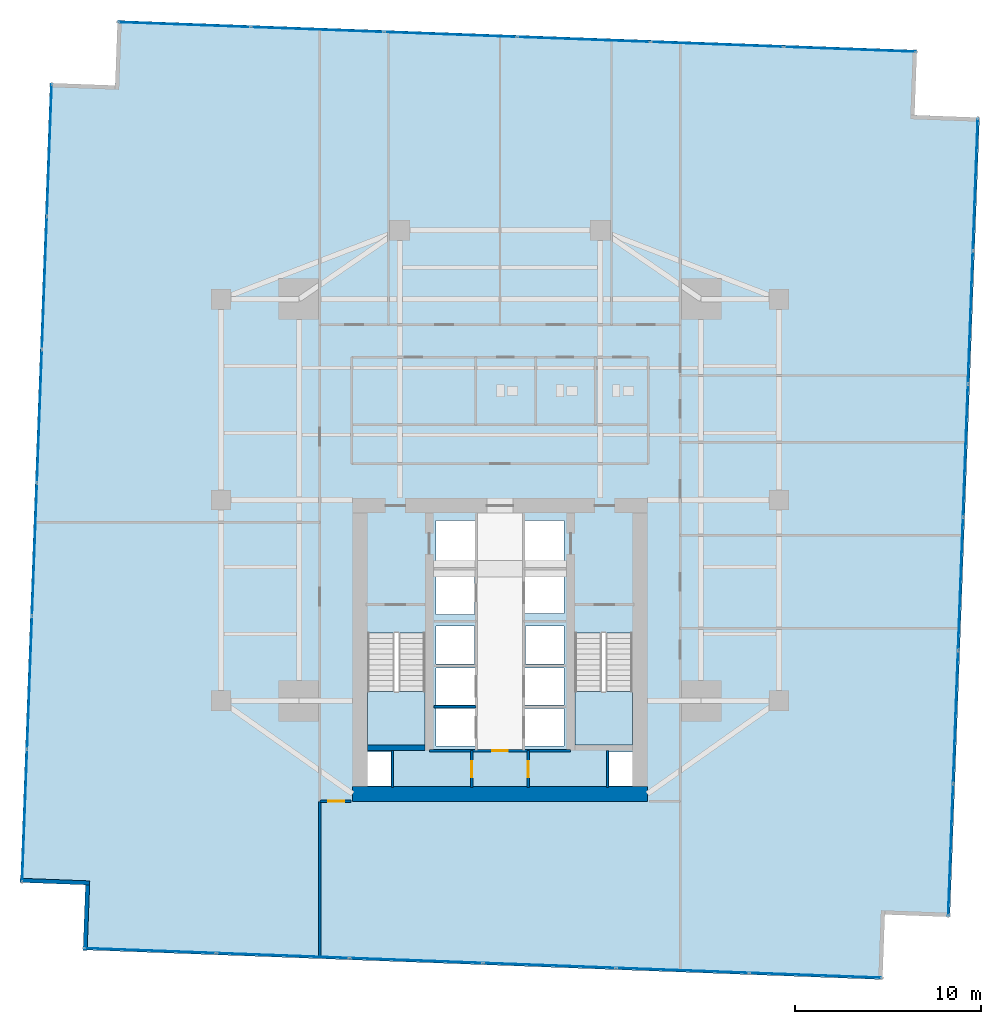
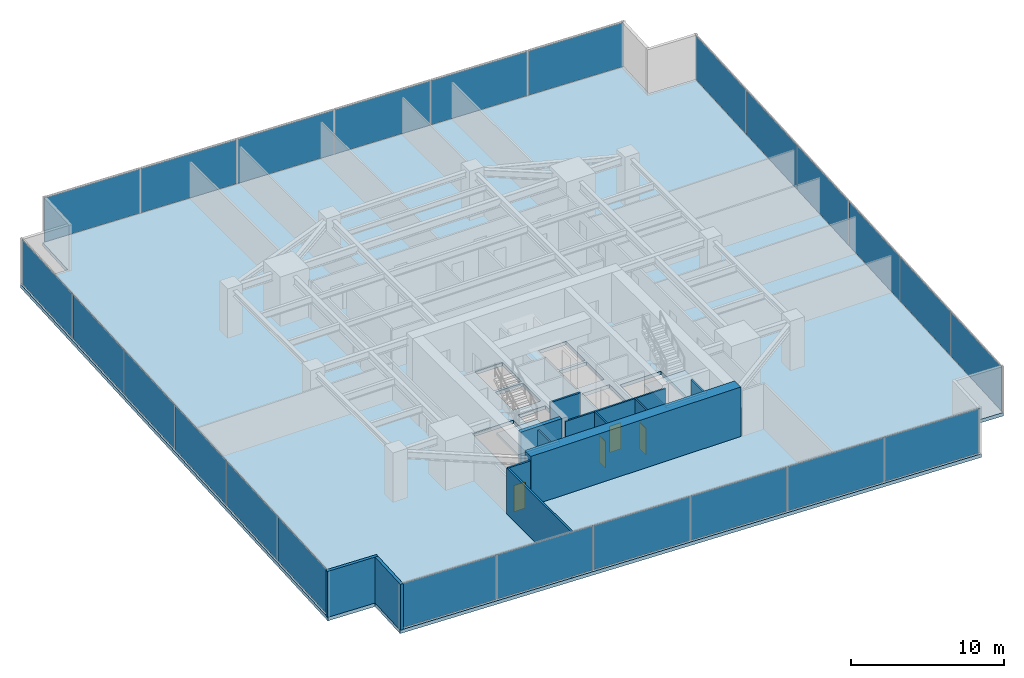
# One storey, part 26 of 30: 24 plates, 12 walls, 4 doors, 3 slabs, 4 openings, 6 elements without a shape of their own.
"""IFC4 building model written with IfcOpenShell, lengths in metres."""

from ifc_helpers import new_model, si_unit, direction, frame, frame_2d, origin, origin_2d, place, context, subcontext, project, spatial, polyline, rectangle, outline, extrude, source, transform, mapped, material, layer, layer_set, type_object, type_shapes, element, fill, aggregate, save


model = new_model("IFC4")

# Units and contexts
model_context = context("Model", 3, precision=1e-05, world=origin(), true_north=direction((0.0, 1.0)))
body_context = subcontext(model_context, "Body", "Model", "MODEL_VIEW")
ifc_project = project(units=[si_unit("LENGTHUNIT", "METRE"), si_unit("AREAUNIT", "SQUARE_METRE"), si_unit("VOLUMEUNIT", "CUBIC_METRE"), si_unit("PLANEANGLEUNIT", "RADIAN"), si_unit("MASSUNIT", "GRAM", prefix="KILO")], contexts=[model_context])

# Site, building, storey
site_placement = place(None, origin())
site = spatial("IfcSite", under=ifc_project, at=site_placement, CompositionType="ELEMENT")
building_placement = place(site_placement, origin())
building = spatial("IfcBuilding", under=site, at=building_placement, Name="Krantzveldt Concourse Tower", CompositionType="ELEMENT")
storey_placement = place(building_placement, frame((0.0, 0.0, 44.75)))
storey = spatial("IfcBuildingStorey", under=building, at=storey_placement, Name="L10", CompositionType="ELEMENT", Elevation=44.75)

# Stair, slab
ifc_material_1 = material(Name="Precast concrete C40/50", Category="concrete")
stair_type = type_object("IfcStairType", Name="STR-CORE-DOGLEG", PredefinedType="HALF_TURN_STAIR", material=ifc_material_1)
stair_1_placement = place(storey_placement, origin())
stair_1 = element("IfcStair", 1, at=stair_1_placement, inside=storey, type_object=stair_type, Name="L10 Protected Escape Stair ST-1", PredefinedType="HALF_TURN_STAIR")
ifc_layer_1 = layer(ifc_material_1, 0.199951171875, Name="Precast concrete C40/50", Category="concrete")
ifc_layer_set_1 = layer_set([ifc_layer_1], Name="Precast concrete C40/50 (SL-LANDING-200)")
slab_type_1 = type_object("IfcSlabType", Name="SL-LANDING-200", PredefinedType="LANDING", material=ifc_layer_set_1)
slab_1_placement = place(storey_placement, frame((0.0, 0.0, 1.77490234375)))
slab_1 = element("IfcSlab", 2, at=slab_1_placement, type_object=slab_type_1, Name="ST-1 landing 1", PredefinedType="LANDING", context=body_context, shape_type="SweptSolid", body=[
    extrude(outline(polyline([(28.8798828125, 16.4150390625), (28.8798828125, 13.52001953125), (31.97998046875, 13.52001953125), (31.97998046875, 16.4150390625), (28.8798828125, 16.4150390625)])), origin(), (0.0, 0.0, 1.0), 0.2001953125),
])
aggregate(stair_1, [slab_1])

stair_2_placement = place(storey_placement, origin())
stair_2 = element("IfcStair", 3, at=stair_2_placement, inside=storey, type_object=stair_type, Name="L10 Protected Escape Stair ST-2", PredefinedType="HALF_TURN_STAIR")
slab_2_placement = place(storey_placement, frame((0.0, 0.0, 1.77490234375)))
slab_2 = element("IfcSlab", 4, at=slab_2_placement, type_object=slab_type_1, Name="ST-2 landing 1", PredefinedType="LANDING", context=body_context, shape_type="SweptSolid", body=[
    extrude(outline(polyline([(40.02001953125, 16.4150390625), (40.02001953125, 13.52001953125), (43.1201171875, 13.52001953125), (43.1201171875, 16.4150390625), (40.02001953125, 16.4150390625)])), origin(), (0.0, 0.0, 1.0), 0.2001953125),
])
aggregate(stair_2, [slab_2])

# Slab
ifc_material_2 = material(Name="Concrete C40/50", Category="concrete")
ifc_layer_2 = layer(ifc_material_2, 0.280029296875, Name="Concrete C40/50", Category="concrete")
ifc_layer_set_2 = layer_set([ifc_layer_2], Name="Concrete C40/50 (SL-SL-TWR280)")
slab_type_2 = type_object("IfcSlabType", Name="SL-SL-TWR280", PredefinedType="FLOOR", material=ifc_layer_set_2)
slab_3_placement = place(storey_placement, frame((0.0, 0.0, -0.280029296875)))
element("IfcSlab", 5, at=slab_3_placement, inside=storey, type_object=slab_type_2, Name="SL-L10-MAIN", PredefinedType="FLOOR", context=body_context, shape_type="SweptSolid", body=[
    extrude(outline(polyline([(15.31201171875, 48.982421875), (11.814453125, 49.1123046875), (10.219970703125, 6.141845703125), (13.717529296875, 6.011962890625), (13.587890625, 2.514404296875), (56.55810546875, 0.919921875), (56.68798828125, 4.41748046875), (60.185546875, 4.287841796875), (61.780029296875, 47.25830078125), (58.282470703125, 47.387939453125), (58.412109375, 50.885498046875), (15.44189453125, 52.47998046875), (15.31201171875, 48.982421875)]), holes=[polyline([(28.8798828125, 19.547607421875), (28.8798828125, 13.52001953125), (31.97998046875, 13.52001953125), (31.97998046875, 19.547607421875), (28.8798828125, 19.547607421875)]), polyline([(40.02001953125, 19.547607421875), (40.02001953125, 13.52001953125), (43.1201171875, 13.52001953125), (43.1201171875, 19.547607421875), (40.02001953125, 19.547607421875)]), polyline([(32.550048828125, 23.10009765625), (34.64990234375, 23.10009765625), (34.64990234375, 25.60009765625), (32.550048828125, 25.60009765625), (32.550048828125, 23.10009765625)]), polyline([(37.35009765625, 23.10009765625), (39.449951171875, 23.10009765625), (39.449951171875, 25.60009765625), (37.35009765625, 25.60009765625), (37.35009765625, 23.10009765625)]), polyline([(37.35009765625, 20.60009765625), (39.449951171875, 20.60009765625), (39.449951171875, 22.89990234375), (37.35009765625, 22.89990234375), (37.35009765625, 20.60009765625)]), polyline([(32.550048828125, 13.47998046875), (34.64990234375, 13.47998046875), (34.64990234375, 15.47998046875), (32.550048828125, 15.47998046875), (32.550048828125, 13.47998046875)]), polyline([(32.550048828125, 15.679931640625), (34.64990234375, 15.679931640625), (34.64990234375, 17.679931640625), (32.550048828125, 17.679931640625), (32.550048828125, 15.679931640625)]), polyline([(37.35009765625, 13.47998046875), (39.449951171875, 13.47998046875), (39.449951171875, 15.47998046875), (37.35009765625, 15.47998046875), (37.35009765625, 13.47998046875)]), polyline([(37.35009765625, 15.679931640625), (39.449951171875, 15.679931640625), (39.449951171875, 17.679931640625), (37.35009765625, 17.679931640625), (37.35009765625, 15.679931640625)]), polyline([(32.550048828125, 20.550048828125), (34.6201171875, 20.550048828125), (34.6201171875, 22.89990234375), (32.550048828125, 22.89990234375), (32.550048828125, 20.550048828125)]), polyline([(32.550048828125, 17.8798828125), (34.6201171875, 17.8798828125), (34.6201171875, 19.919921875), (32.550048828125, 19.919921875), (32.550048828125, 17.8798828125)]), polyline([(37.3798828125, 17.8798828125), (39.449951171875, 17.8798828125), (39.449951171875, 19.919921875), (37.3798828125, 19.919921875), (37.3798828125, 17.8798828125)]), polyline([(28.8798828125, 11.320068359375), (30.139892578125, 11.320068359375), (30.139892578125, 13.159912109375), (28.8798828125, 13.159912109375), (28.8798828125, 11.320068359375)]), polyline([(41.860107421875, 11.320068359375), (43.1201171875, 11.320068359375), (43.1201171875, 13.159912109375), (41.860107421875, 13.159912109375), (41.860107421875, 11.320068359375)])]), origin(), (0.0, 0.0, 1.0), 0.280029296875),
])

# Curtain wall, plates
ifc_material_3 = material(Name="Anodised aluminium 6063-T6", Category="aluminium")
curtain_wall_type = type_object("IfcCurtainWallType", Name="CW2", PredefinedType="USERDEFINED", material=ifc_material_3)
curtain_wall_1_placement = place(storey_placement, origin())
curtain_wall_1 = element("IfcCurtainWall", 6, at=curtain_wall_1_placement, inside=storey, type_object=curtain_wall_type, Name="CW-L10-F01", ObjectType="UNITISED CURTAIN WALL", PredefinedType="USERDEFINED")
ifc_material_4 = material(Name="Bronze-tinted laminated low-E IGU glass", Category="glass")
ifc_layer_3 = layer(ifc_material_4, 0.031982421875, Name="Bronze-tinted laminated low-E IGU glass", Category="glass")
ifc_layer_set_3 = layer_set([ifc_layer_3], Name="Bronze-tinted laminated low-E IGU glass (CW-GLZ-32)")
plate_type = type_object("IfcPlateType", Name="CW-GLZ-32", PredefinedType="CURTAIN_PANEL", material=ifc_layer_set_3)
shared_shape_1 = source(origin(), body_context, "Body", "SweptSolid", [
    extrude(rectangle(XDim=7.061767578125, YDim=0.031982421875, at=origin_2d()), origin(), (0.0, 0.0, 1.0), 3.530029296875),
])
plate_1_placement = place(storey_placement, frame((11.770751953125, 45.510498046875, 0.06982421875), z_axis=(0.0, 0.0, 1.0), x_axis=(-0.037079766834, -0.999312308986, 0.0)))
plate_1 = element("IfcPlate", 7, at=plate_1_placement, type_object=plate_type, Name="CW-Z12 panel 1.1", PredefinedType="CURTAIN_PANEL", context=body_context, shape_type="MappedRepresentation", body=[
    mapped(shared_shape_1, transform((0.0, 0.0, 0.0), x_axis=(1.0, 0.0, 0.0), y_axis=(0.0, 1.0, 0.0), z_axis=(0.0, 0.0, 1.0), scale=1.0)),
])
plate_2_placement = place(storey_placement, frame((10.443359375, 9.73681640625, 0.06982421875), z_axis=(0.0, 0.0, 1.0), x_axis=(-0.037079766834, -0.999312308986, 0.0)))
plate_2 = element("IfcPlate", 8, at=plate_2_placement, type_object=plate_type, Name="CW-Z12 panel 6.1", PredefinedType="CURTAIN_PANEL", context=body_context, shape_type="MappedRepresentation", body=[
    mapped(shared_shape_1, transform((0.0, 0.0, 0.0), x_axis=(1.0, 0.0, 0.0), y_axis=(0.0, 1.0, 0.0), z_axis=(0.0, 0.0, 1.0), scale=1.0)),
])

curtain_wall_2_placement = place(storey_placement, origin())
curtain_wall_2 = element("IfcCurtainWall", 9, at=curtain_wall_2_placement, inside=storey, type_object=curtain_wall_type, Name="CW-L10-F04", ObjectType="UNITISED CURTAIN WALL", PredefinedType="USERDEFINED")
plate_3_placement = place(storey_placement, frame((17.189453125, 2.470947265625, 0.06982421875), z_axis=(0.0, 0.0, 1.0), x_axis=(0.999312308986, -0.037079766834, 0.0)))
plate_3 = element("IfcPlate", 10, at=plate_3_placement, type_object=plate_type, Name="CW-Z12 panel 1.1", PredefinedType="CURTAIN_PANEL", context=body_context, shape_type="MappedRepresentation", body=[
    mapped(shared_shape_1, transform((0.0, 0.0, 0.0), x_axis=(1.0, 0.0, 0.0), y_axis=(0.0, 1.0, 0.0), z_axis=(0.0, 0.0, 1.0), scale=1.0)),
])
plate_4_placement = place(storey_placement, frame((52.963134765625, 1.1435546875, 0.06982421875), z_axis=(0.0, 0.0, 1.0), x_axis=(0.999312308986, -0.037079766834, 0.0)))
plate_4 = element("IfcPlate", 11, at=plate_4_placement, type_object=plate_type, Name="CW-Z12 panel 6.1", PredefinedType="CURTAIN_PANEL", context=body_context, shape_type="MappedRepresentation", body=[
    mapped(shared_shape_1, transform((0.0, 0.0, 0.0), x_axis=(1.0, 0.0, 0.0), y_axis=(0.0, 1.0, 0.0), z_axis=(0.0, 0.0, 1.0), scale=1.0)),
])

curtain_wall_3_placement = place(storey_placement, origin())
curtain_wall_3 = element("IfcCurtainWall", 12, at=curtain_wall_3_placement, inside=storey, type_object=curtain_wall_type, Name="CW-L10-F07", ObjectType="UNITISED CURTAIN WALL", PredefinedType="USERDEFINED")
plate_5_placement = place(storey_placement, frame((60.229248046875, 7.889404296875, 0.06982421875), z_axis=(0.0, 0.0, 1.0), x_axis=(0.037079766834, 0.999312308986, 0.0)))
plate_5 = element("IfcPlate", 13, at=plate_5_placement, type_object=plate_type, Name="CW-Z12 panel 1.1", PredefinedType="CURTAIN_PANEL", context=body_context, shape_type="MappedRepresentation", body=[
    mapped(shared_shape_1, transform((0.0, 0.0, 0.0), x_axis=(1.0, 0.0, 0.0), y_axis=(0.0, 1.0, 0.0), z_axis=(0.0, 0.0, 1.0), scale=1.0)),
])
plate_6_placement = place(storey_placement, frame((61.556640625, 43.6630859375, 0.06982421875), z_axis=(0.0, 0.0, 1.0), x_axis=(0.037079766834, 0.999312308986, 0.0)))
plate_6 = element("IfcPlate", 14, at=plate_6_placement, type_object=plate_type, Name="CW-Z12 panel 6.1", PredefinedType="CURTAIN_PANEL", context=body_context, shape_type="MappedRepresentation", body=[
    mapped(shared_shape_1, transform((0.0, 0.0, 0.0), x_axis=(1.0, 0.0, 0.0), y_axis=(0.0, 1.0, 0.0), z_axis=(0.0, 0.0, 1.0), scale=1.0)),
])

curtain_wall_4_placement = place(storey_placement, origin())
curtain_wall_4 = element("IfcCurtainWall", 15, at=curtain_wall_4_placement, inside=storey, type_object=curtain_wall_type, Name="CW-L10-F10", ObjectType="UNITISED CURTAIN WALL", PredefinedType="USERDEFINED")
plate_7_placement = place(storey_placement, frame((54.810546875, 50.92919921875, 0.06982421875), z_axis=(0.0, 0.0, 1.0), x_axis=(-0.999312308986, 0.037079766834, 0.0)))
plate_7 = element("IfcPlate", 16, at=plate_7_placement, type_object=plate_type, Name="CW-Z12 panel 1.1", PredefinedType="CURTAIN_PANEL", context=body_context, shape_type="MappedRepresentation", body=[
    mapped(shared_shape_1, transform((0.0, 0.0, 0.0), x_axis=(1.0, 0.0, 0.0), y_axis=(0.0, 1.0, 0.0), z_axis=(0.0, 0.0, 1.0), scale=1.0)),
])
plate_8_placement = place(storey_placement, frame((19.036865234375, 52.256591796875, 0.06982421875), z_axis=(0.0, 0.0, 1.0), x_axis=(-0.999312308986, 0.037079766834, 0.0)))
plate_8 = element("IfcPlate", 17, at=plate_8_placement, type_object=plate_type, Name="CW-Z12 panel 6.1", PredefinedType="CURTAIN_PANEL", context=body_context, shape_type="MappedRepresentation", body=[
    mapped(shared_shape_1, transform((0.0, 0.0, 0.0), x_axis=(1.0, 0.0, 0.0), y_axis=(0.0, 1.0, 0.0), z_axis=(0.0, 0.0, 1.0), scale=1.0)),
])

# Plate
shared_shape_2 = source(origin(), body_context, "Body", "SweptSolid", [
    extrude(rectangle(XDim=7.0966796875, YDim=0.031982421875, at=origin_2d()), origin(), (0.0, 0.0, 1.0), 3.530029296875),
])
type_shapes(plate_type, [shared_shape_1, shared_shape_2])
plate_9_placement = place(storey_placement, frame((11.505859375, 38.3662109375, 0.06982421875), z_axis=(0.0, 0.0, 1.0), x_axis=(-0.037079766834, -0.999312308986, 0.0)))
plate_9 = element("IfcPlate", 18, at=plate_9_placement, type_object=plate_type, Name="CW-Z12 panel 2.1", PredefinedType="CURTAIN_PANEL", context=body_context, shape_type="MappedRepresentation", body=[
    mapped(shared_shape_2, transform((0.0, 0.0, 0.0), x_axis=(1.0, 0.0, 0.0), y_axis=(0.0, 1.0, 0.0), z_axis=(0.0, 0.0, 1.0), scale=1.0)),
])

plate_10_placement = place(storey_placement, frame((11.239990234375, 31.20458984375, 0.06982421875), z_axis=(0.0, 0.0, 1.0), x_axis=(-0.037079766834, -0.999312308986, 0.0)))
plate_10 = element("IfcPlate", 19, at=plate_10_placement, type_object=plate_type, Name="CW-Z12 panel 3.1", PredefinedType="CURTAIN_PANEL", context=body_context, shape_type="MappedRepresentation", body=[
    mapped(shared_shape_2, transform((0.0, 0.0, 0.0), x_axis=(1.0, 0.0, 0.0), y_axis=(0.0, 1.0, 0.0), z_axis=(0.0, 0.0, 1.0), scale=1.0)),
])

plate_11_placement = place(storey_placement, frame((10.974365234375, 24.042724609375, 0.06982421875), z_axis=(0.0, 0.0, 1.0), x_axis=(-0.037079766834, -0.999312308986, 0.0)))
plate_11 = element("IfcPlate", 20, at=plate_11_placement, type_object=plate_type, Name="CW-Z12 panel 4.1", PredefinedType="CURTAIN_PANEL", context=body_context, shape_type="MappedRepresentation", body=[
    mapped(shared_shape_2, transform((0.0, 0.0, 0.0), x_axis=(1.0, 0.0, 0.0), y_axis=(0.0, 1.0, 0.0), z_axis=(0.0, 0.0, 1.0), scale=1.0)),
])

plate_12_placement = place(storey_placement, frame((10.70849609375, 16.881103515625, 0.06982421875), z_axis=(0.0, 0.0, 1.0), x_axis=(-0.037079766834, -0.999312308986, 0.0)))
plate_12 = element("IfcPlate", 21, at=plate_12_placement, type_object=plate_type, Name="CW-Z12 panel 5.1", PredefinedType="CURTAIN_PANEL", context=body_context, shape_type="MappedRepresentation", body=[
    mapped(shared_shape_2, transform((0.0, 0.0, 0.0), x_axis=(1.0, 0.0, 0.0), y_axis=(0.0, 1.0, 0.0), z_axis=(0.0, 0.0, 1.0), scale=1.0)),
])

aggregate(curtain_wall_1, [plate_1, plate_9, plate_10, plate_11, plate_12, plate_2])

plate_13_placement = place(storey_placement, frame((24.333740234375, 2.205810546875, 0.06982421875), z_axis=(0.0, 0.0, 1.0), x_axis=(0.999312308986, -0.037079766834, 0.0)))
plate_13 = element("IfcPlate", 22, at=plate_13_placement, type_object=plate_type, Name="CW-Z12 panel 2.1", PredefinedType="CURTAIN_PANEL", context=body_context, shape_type="MappedRepresentation", body=[
    mapped(shared_shape_2, transform((0.0, 0.0, 0.0), x_axis=(1.0, 0.0, 0.0), y_axis=(0.0, 1.0, 0.0), z_axis=(0.0, 0.0, 1.0), scale=1.0)),
])

plate_14_placement = place(storey_placement, frame((31.495361328125, 1.93994140625, 0.06982421875), z_axis=(0.0, 0.0, 1.0), x_axis=(0.999312308986, -0.037079766834, 0.0)))
plate_14 = element("IfcPlate", 23, at=plate_14_placement, type_object=plate_type, Name="CW-Z12 panel 3.1", PredefinedType="CURTAIN_PANEL", context=body_context, shape_type="MappedRepresentation", body=[
    mapped(shared_shape_2, transform((0.0, 0.0, 0.0), x_axis=(1.0, 0.0, 0.0), y_axis=(0.0, 1.0, 0.0), z_axis=(0.0, 0.0, 1.0), scale=1.0)),
])

plate_15_placement = place(storey_placement, frame((38.6572265625, 1.67431640625, 0.06982421875), z_axis=(0.0, 0.0, 1.0), x_axis=(0.999312308986, -0.037079766834, 0.0)))
plate_15 = element("IfcPlate", 24, at=plate_15_placement, type_object=plate_type, Name="CW-Z12 panel 4.1", PredefinedType="CURTAIN_PANEL", context=body_context, shape_type="MappedRepresentation", body=[
    mapped(shared_shape_2, transform((0.0, 0.0, 0.0), x_axis=(1.0, 0.0, 0.0), y_axis=(0.0, 1.0, 0.0), z_axis=(0.0, 0.0, 1.0), scale=1.0)),
])

plate_16_placement = place(storey_placement, frame((45.81884765625, 1.408447265625, 0.06982421875), z_axis=(0.0, 0.0, 1.0), x_axis=(0.999312308986, -0.037079766834, 0.0)))
plate_16 = element("IfcPlate", 25, at=plate_16_placement, type_object=plate_type, Name="CW-Z12 panel 5.1", PredefinedType="CURTAIN_PANEL", context=body_context, shape_type="MappedRepresentation", body=[
    mapped(shared_shape_2, transform((0.0, 0.0, 0.0), x_axis=(1.0, 0.0, 0.0), y_axis=(0.0, 1.0, 0.0), z_axis=(0.0, 0.0, 1.0), scale=1.0)),
])

aggregate(curtain_wall_2, [plate_3, plate_13, plate_14, plate_15, plate_16, plate_4])

plate_17_placement = place(storey_placement, frame((60.494140625, 15.03369140625, 0.06982421875), z_axis=(0.0, 0.0, 1.0), x_axis=(0.037079766834, 0.999312308986, 0.0)))
plate_17 = element("IfcPlate", 26, at=plate_17_placement, type_object=plate_type, Name="CW-Z12 panel 2.1", PredefinedType="CURTAIN_PANEL", context=body_context, shape_type="MappedRepresentation", body=[
    mapped(shared_shape_2, transform((0.0, 0.0, 0.0), x_axis=(1.0, 0.0, 0.0), y_axis=(0.0, 1.0, 0.0), z_axis=(0.0, 0.0, 1.0), scale=1.0)),
])

plate_18_placement = place(storey_placement, frame((60.760009765625, 22.195556640625, 0.06982421875), z_axis=(0.0, 0.0, 1.0), x_axis=(0.037079766834, 0.999312308986, 0.0)))
plate_18 = element("IfcPlate", 27, at=plate_18_placement, type_object=plate_type, Name="CW-Z12 panel 3.1", PredefinedType="CURTAIN_PANEL", context=body_context, shape_type="MappedRepresentation", body=[
    mapped(shared_shape_2, transform((0.0, 0.0, 0.0), x_axis=(1.0, 0.0, 0.0), y_axis=(0.0, 1.0, 0.0), z_axis=(0.0, 0.0, 1.0), scale=1.0)),
])

plate_19_placement = place(storey_placement, frame((61.025634765625, 29.357177734375, 0.06982421875), z_axis=(0.0, 0.0, 1.0), x_axis=(0.037079766834, 0.999312308986, 0.0)))
plate_19 = element("IfcPlate", 28, at=plate_19_placement, type_object=plate_type, Name="CW-Z12 panel 4.1", PredefinedType="CURTAIN_PANEL", context=body_context, shape_type="MappedRepresentation", body=[
    mapped(shared_shape_2, transform((0.0, 0.0, 0.0), x_axis=(1.0, 0.0, 0.0), y_axis=(0.0, 1.0, 0.0), z_axis=(0.0, 0.0, 1.0), scale=1.0)),
])

plate_20_placement = place(storey_placement, frame((61.29150390625, 36.51904296875, 0.06982421875), z_axis=(0.0, 0.0, 1.0), x_axis=(0.037079766834, 0.999312308986, 0.0)))
plate_20 = element("IfcPlate", 29, at=plate_20_placement, type_object=plate_type, Name="CW-Z12 panel 5.1", PredefinedType="CURTAIN_PANEL", context=body_context, shape_type="MappedRepresentation", body=[
    mapped(shared_shape_2, transform((0.0, 0.0, 0.0), x_axis=(1.0, 0.0, 0.0), y_axis=(0.0, 1.0, 0.0), z_axis=(0.0, 0.0, 1.0), scale=1.0)),
])

aggregate(curtain_wall_3, [plate_5, plate_17, plate_18, plate_19, plate_20, plate_6])

plate_21_placement = place(storey_placement, frame((47.666259765625, 51.1943359375, 0.06982421875), z_axis=(0.0, 0.0, 1.0), x_axis=(-0.999312308986, 0.037079766834, 0.0)))
plate_21 = element("IfcPlate", 30, at=plate_21_placement, type_object=plate_type, Name="CW-Z12 panel 2.1", PredefinedType="CURTAIN_PANEL", context=body_context, shape_type="MappedRepresentation", body=[
    mapped(shared_shape_2, transform((0.0, 0.0, 0.0), x_axis=(1.0, 0.0, 0.0), y_axis=(0.0, 1.0, 0.0), z_axis=(0.0, 0.0, 1.0), scale=1.0)),
])

plate_22_placement = place(storey_placement, frame((40.504638671875, 51.4599609375, 0.06982421875), z_axis=(0.0, 0.0, 1.0), x_axis=(-0.999312308986, 0.037079766834, 0.0)))
plate_22 = element("IfcPlate", 31, at=plate_22_placement, type_object=plate_type, Name="CW-Z12 panel 3.1", PredefinedType="CURTAIN_PANEL", context=body_context, shape_type="MappedRepresentation", body=[
    mapped(shared_shape_2, transform((0.0, 0.0, 0.0), x_axis=(1.0, 0.0, 0.0), y_axis=(0.0, 1.0, 0.0), z_axis=(0.0, 0.0, 1.0), scale=1.0)),
])

plate_23_placement = place(storey_placement, frame((33.3427734375, 51.725830078125, 0.06982421875), z_axis=(0.0, 0.0, 1.0), x_axis=(-0.999312308986, 0.037079766834, 0.0)))
plate_23 = element("IfcPlate", 32, at=plate_23_placement, type_object=plate_type, Name="CW-Z12 panel 4.1", PredefinedType="CURTAIN_PANEL", context=body_context, shape_type="MappedRepresentation", body=[
    mapped(shared_shape_2, transform((0.0, 0.0, 0.0), x_axis=(1.0, 0.0, 0.0), y_axis=(0.0, 1.0, 0.0), z_axis=(0.0, 0.0, 1.0), scale=1.0)),
])

plate_24_placement = place(storey_placement, frame((26.18115234375, 51.991455078125, 0.06982421875), z_axis=(0.0, 0.0, 1.0), x_axis=(-0.999312308986, 0.037079766834, 0.0)))
plate_24 = element("IfcPlate", 33, at=plate_24_placement, type_object=plate_type, Name="CW-Z12 panel 5.1", PredefinedType="CURTAIN_PANEL", context=body_context, shape_type="MappedRepresentation", body=[
    mapped(shared_shape_2, transform((0.0, 0.0, 0.0), x_axis=(1.0, 0.0, 0.0), y_axis=(0.0, 1.0, 0.0), z_axis=(0.0, 0.0, 1.0), scale=1.0)),
])

aggregate(curtain_wall_4, [plate_7, plate_21, plate_22, plate_23, plate_24, plate_8])

# Walls
ifc_layer_4 = layer(ifc_material_3, 0.219970703125, Name="Anodised aluminium 6063-T6", Category="aluminium")
ifc_layer_set_4 = layer_set([ifc_layer_4], Name="Anodised aluminium 6063-T6 (WL-EXT-NOTCH220)")
wall_type_1 = type_object("IfcWallType", Name="WL-EXT-NOTCH220", PredefinedType="ELEMENTEDWALL", material=ifc_layer_set_4)
wall_1_placement = place(storey_placement, frame((10.198974609375, 6.252685546875, 0.0), z_axis=(0.0, 0.0, 1.0), x_axis=(0.999311794114, -0.037093640215, 0.0)))
element("IfcWall", 34, at=wall_1_placement, inside=storey, type_object=wall_type_1, Name="EW-L10-NCH02", PredefinedType="ELEMENTEDWALL", context=body_context, shape_type="SweptSolid", body=[
    extrude(rectangle(XDim=3.7451171875, YDim=0.219970703125, at=frame_2d((1.87255859375, 0.0))), origin(), (0.0, 0.0, 1.0), 3.669921875),
])
wall_2_placement = place(storey_placement, frame((13.827392578125, 6.0078125, 0.0), z_axis=(0.0, 0.0, 1.0), x_axis=(-0.03705521019, -0.999313219865, 0.0)))
element("IfcWall", 35, at=wall_2_placement, inside=storey, type_object=wall_type_1, Name="EW-L10-NCH03", PredefinedType="ELEMENTEDWALL", context=body_context, shape_type="SweptSolid", body=[
    extrude(rectangle(XDim=3.52490234375, YDim=0.219970703125, at=frame_2d((1.762451171875, 0.0))), origin(), (0.0, 0.0, 1.0), 3.669921875),
])

# Wall, opening, door
ifc_material_5 = material(Name="Fire-rated gypsum plasterboard on steel stud", Category="steel")
ifc_layer_5 = layer(ifc_material_5, 0.1201171875, Name="Fire-rated gypsum plasterboard on steel stud", Category="steel")
ifc_layer_set_5 = layer_set([ifc_layer_5], Name="Fire-rated gypsum plasterboard on steel stud (WL-PART-120)")
wall_type_2 = type_object("IfcWallType", Name="WL-PART-120", PredefinedType="PARTITIONING", material=ifc_layer_set_5)
wall_3_placement = place(storey_placement, frame((32.2099609375, 13.219970703125, 0.0), z_axis=(0.0, 0.0, 1.0), x_axis=(1.0, 0.0, 0.0)))
wall_3 = element("IfcWall", 36, at=wall_3_placement, inside=storey, type_object=wall_type_2, Name="WP-L10-CS2H", PredefinedType="PARTITIONING", context=body_context, shape_type="SweptSolid", body=[
    extrude(rectangle(XDim=7.580078125, YDim=0.1201171875, at=frame_2d((3.7900390625, 0.0))), origin(), (0.0, 0.0, 1.0), 3.669921875),
])
opening_1_placement = place(wall_3_placement, frame((3.364990234375, 0.0, 0.0)))
opening_1 = element("IfcOpeningElement", 37, at=opening_1_placement, cuts=wall_3, Name="Opening D-IN085", PredefinedType="OPENING", context=body_context, shape_type="SweptSolid", body=[
    extrude(rectangle(XDim=0.85009765625, YDim=2.10009765625, at=frame_2d((0.425048828125, 1.050048828125))), frame((0.0, 0.070068359375, 0.0), z_axis=(0.0, -1.0, 0.0), x_axis=(1.0, 0.0, 0.0)), (0.0, 0.0, 1.0), 0.14013671875),
])
ifc_material_6 = material(Name="Hardwood timber", Category="wood")
door_type = type_object("IfcDoorType", Name="DR-INT-850", OperationType="SINGLE_SWING_LEFT", PredefinedType="DOOR", material=ifc_material_6)
door_1_placement = place(opening_1_placement, origin())
door_1 = element("IfcDoor", 38, at=door_1_placement, inside=storey, type_object=door_type, Name="DR-L10-LLBS", OperationType="SINGLE_SWING_RIGHT", OverallHeight=2.10009765625, OverallWidth=0.85009765625, PredefinedType="DOOR", context=body_context, shape_type="SweptSolid", body=[
    extrude(rectangle(XDim=0.85009765625, YDim=2.10009765625, at=frame_2d((0.425048828125, 1.050048828125))), frame((0.0, 0.02490234375, 0.0), z_axis=(0.0, -1.0, 0.0), x_axis=(1.0, 0.0, 0.0)), (0.0, 0.0, 1.0), 0.050048828125),
])
fill(opening_1, door_1)

wall_4_placement = place(storey_placement, frame((34.47998046875, 11.25, 0.0), z_axis=(0.0, 0.0, 1.0), x_axis=(0.0, 1.0, 0.0)))
wall_4 = element("IfcWall", 39, at=wall_4_placement, inside=storey, type_object=wall_type_2, Name="WP-L10-CSB-VL", PredefinedType="PARTITIONING", context=body_context, shape_type="SweptSolid", body=[
    extrude(rectangle(XDim=1.969970703125, YDim=0.1201171875, at=frame_2d((0.98486328125, 0.0))), origin(), (0.0, 0.0, 1.0), 3.669921875),
])
opening_2_placement = place(wall_4_placement, frame((0.544921875, 0.0, 0.0)))
opening_2 = element("IfcOpeningElement", 40, at=opening_2_placement, cuts=wall_4, Name="Opening D-IN085", PredefinedType="OPENING", context=body_context, shape_type="SweptSolid", body=[
    extrude(rectangle(XDim=0.85009765625, YDim=2.10009765625, at=frame_2d((0.425048828125, 1.050048828125))), frame((0.0, 0.070068359375, 0.0), z_axis=(0.0, -1.0, 0.0), x_axis=(1.0, 0.0, 0.0)), (0.0, 0.0, 1.0), 0.14013671875),
])
door_2_placement = place(opening_2_placement, origin())
door_2 = element("IfcDoor", 41, at=door_2_placement, inside=storey, type_object=door_type, Name="DR-L10-CSB1", OperationType="SINGLE_SWING_LEFT", OverallHeight=2.10009765625, OverallWidth=0.85009765625, PredefinedType="DOOR", context=body_context, shape_type="SweptSolid", body=[
    extrude(rectangle(XDim=0.85009765625, YDim=2.10009765625, at=frame_2d((0.425048828125, 1.050048828125))), frame((0.0, 0.02490234375, 0.0), z_axis=(0.0, -1.0, 0.0), x_axis=(1.0, 0.0, 0.0)), (0.0, 0.0, 1.0), 0.050048828125),
])
fill(opening_2, door_2)

wall_5_placement = place(storey_placement, frame((37.52001953125, 11.25, 0.0), z_axis=(0.0, 0.0, 1.0), x_axis=(0.0, 1.0, 0.0)))
wall_5 = element("IfcWall", 42, at=wall_5_placement, inside=storey, type_object=wall_type_2, Name="WP-L10-CSB-VR", PredefinedType="PARTITIONING", context=body_context, shape_type="SweptSolid", body=[
    extrude(rectangle(XDim=1.969970703125, YDim=0.1201171875, at=frame_2d((0.98486328125, 0.0))), origin(), (0.0, 0.0, 1.0), 3.669921875),
])
opening_3_placement = place(wall_5_placement, frame((0.544921875, 0.0, 0.0)))
opening_3 = element("IfcOpeningElement", 43, at=opening_3_placement, cuts=wall_5, Name="Opening D-IN085", PredefinedType="OPENING", context=body_context, shape_type="SweptSolid", body=[
    extrude(rectangle(XDim=0.85009765625, YDim=2.10009765625, at=frame_2d((0.425048828125, 1.050048828125))), frame((0.0, 0.070068359375, 0.0), z_axis=(0.0, -1.0, 0.0), x_axis=(1.0, 0.0, 0.0)), (0.0, 0.0, 1.0), 0.14013671875),
])
door_3_placement = place(opening_3_placement, origin())
door_3 = element("IfcDoor", 44, at=door_3_placement, inside=storey, type_object=door_type, Name="DR-L10-CSB2", OperationType="SINGLE_SWING_RIGHT", OverallHeight=2.10009765625, OverallWidth=0.85009765625, PredefinedType="DOOR", context=body_context, shape_type="SweptSolid", body=[
    extrude(rectangle(XDim=0.85009765625, YDim=2.10009765625, at=frame_2d((0.425048828125, 1.050048828125))), frame((0.0, 0.02490234375, 0.0), z_axis=(0.0, -1.0, 0.0), x_axis=(1.0, 0.0, 0.0)), (0.0, 0.0, 1.0), 0.050048828125),
])
fill(opening_3, door_3)

ifc_layer_6 = layer(ifc_material_5, 0.139892578125, Name="Fire-rated gypsum plasterboard on steel stud", Category="steel")
ifc_layer_set_6 = layer_set([ifc_layer_6], Name="Fire-rated gypsum plasterboard on steel stud (WL-PART-140)")
wall_type_3 = type_object("IfcWallType", Name="WL-PART-140", PredefinedType="PARTITIONING", material=ifc_layer_set_6)
wall_6_placement = place(storey_placement, frame((26.320068359375, 10.5, 0.0), z_axis=(0.0, 0.0, 1.0), x_axis=(1.0, 0.0, 0.0)))
wall_6 = element("IfcWall", 45, at=wall_6_placement, inside=storey, type_object=wall_type_3, Name="WP-L10-CWBOT", PredefinedType="PARTITIONING", context=body_context, shape_type="SweptSolid", body=[
    extrude(rectangle(XDim=1.679931640625, YDim=0.139892578125, at=frame_2d((0.83984375, 0.0))), origin(), (0.0, 0.0, 1.0), 3.669921875),
])
opening_4_placement = place(wall_6_placement, frame((0.445068359375, 0.0, 0.0)))
opening_4 = element("IfcOpeningElement", 46, at=opening_4_placement, cuts=wall_6, Name="Opening D-IN085", PredefinedType="OPENING", context=body_context, shape_type="SweptSolid", body=[
    extrude(rectangle(XDim=0.85009765625, YDim=2.10009765625, at=frame_2d((0.425048828125, 1.050048828125))), frame((0.0, 0.080078125, 0.0), z_axis=(0.0, -1.0, 0.0), x_axis=(1.0, 0.0, 0.0)), (0.0, 0.0, 1.0), 0.159912109375),
])
door_4_placement = place(opening_4_placement, origin())
door_4 = element("IfcDoor", 47, at=door_4_placement, inside=storey, type_object=door_type, Name="DR-L10-SR1", OperationType="SINGLE_SWING_LEFT", OverallHeight=2.10009765625, OverallWidth=0.85009765625, PredefinedType="DOOR", context=body_context, shape_type="SweptSolid", body=[
    extrude(rectangle(XDim=0.85009765625, YDim=2.10009765625, at=frame_2d((0.425048828125, 1.050048828125))), frame((0.0, 0.02490234375, 0.0), z_axis=(0.0, -1.0, 0.0), x_axis=(1.0, 0.0, 0.0)), (0.0, 0.0, 1.0), 0.050048828125),
])
fill(opening_4, door_4)

# Walls
wall_7_placement = place(storey_placement, frame((26.320068359375, 2.132080078125, 0.0), z_axis=(0.0, 0.0, 1.0), x_axis=(0.0, 1.0, 0.0)))
element("IfcWall", 48, at=wall_7_placement, inside=storey, type_object=wall_type_3, Name="WP-L10-SWL", PredefinedType="PARTITIONING", context=body_context, shape_type="SweptSolid", body=[
    extrude(rectangle(XDim=8.367919921875, YDim=0.139892578125, at=frame_2d((4.18408203125, 0.0))), origin(), (0.0, 0.0, 1.0), 3.669921875),
])
ifc_layer_7 = layer(ifc_material_5, 0.139892578125, Name="Fire-rated gypsum plasterboard on steel stud", Category="steel")
ifc_layer_set_7 = layer_set([ifc_layer_7], Name="Fire-rated gypsum plasterboard on steel stud (WL-PART-FR140)")
wall_type_4 = type_object("IfcWallType", Name="WL-PART-FR140", PredefinedType="PARTITIONING", material=ifc_layer_set_7)
wall_8_placement = place(storey_placement, frame((32.449951171875, 15.580078125, 0.0), z_axis=(0.0, 0.0, 1.0), x_axis=(1.0, 0.0, 0.0)))
element("IfcWall", 49, at=wall_8_placement, inside=storey, type_object=wall_type_4, Name="WP-L10-DIVW1", PredefinedType="PARTITIONING", context=body_context, shape_type="SweptSolid", body=[
    extrude(rectangle(XDim=2.27001953125, YDim=0.139892578125, at=frame_2d((1.135009765625, 0.0))), origin(), (0.0, 0.0, 1.0), 3.669921875),
])
for number, where, z_axis, x_axis, name in (
    (50, (30.219970703125, 11.25, 0.0), (0.0, 0.0, 1.0), (0.0, 1.0, 0.0), "WP-L10-RSW"),
    (51, (41.780029296875, 11.25, 0.0), (0.0, 0.0, 1.0), (0.0, 1.0, 0.0), "WP-L10-RSE"),
):
    element("IfcWall", number, at=place(storey_placement, frame(where, z_axis=z_axis, x_axis=x_axis)), inside=storey, type_object=wall_type_4, Name=name, PredefinedType="PARTITIONING", context=body_context, shape_type="SweptSolid", body=[
        extrude(rectangle(XDim=1.969970703125, YDim=0.1201171875, at=frame_2d((0.98486328125, 0.0))), origin(), (0.0, 0.0, 1.0), 3.669921875),
    ])
ifc_material_7 = material(Name="Concrete C50/60", Category="concrete")
ifc_layer_8 = layer(ifc_material_7, 0.300048828125, Name="Concrete C50/60", Category="concrete")
ifc_layer_set_8 = layer_set([ifc_layer_8], Name="Concrete C50/60 (WL-SHEAR-300)")
wall_type_5 = type_object("IfcWallType", Name="WL-SHEAR-300", PredefinedType="SHEAR", material=ifc_layer_set_8)
wall_9_placement = place(storey_placement, frame((28.8798828125, 13.3701171875, 0.0), z_axis=(0.0, 0.0, 1.0), x_axis=(1.0, 0.0, 0.0)))
element("IfcWall", 52, at=wall_9_placement, inside=storey, type_object=wall_type_5, Name="CW-L10-ST1S", PredefinedType="SHEAR", context=body_context, shape_type="SweptSolid", body=[
    extrude(rectangle(XDim=3.10009765625, YDim=0.300048828125, at=frame_2d((1.550048828125, 0.0))), origin(), (0.0, 0.0, 1.0), 3.949951171875),
])
ifc_material_8 = material(Name="Concrete C60/75", Category="concrete")
ifc_layer_9 = layer(ifc_material_8, 0.800048828125, Name="Concrete C60/75", Category="concrete")
ifc_layer_set_9 = layer_set([ifc_layer_9], Name="Concrete C60/75 (WL-SHEAR-800)")
wall_type_6 = type_object("IfcWallType", Name="WL-SHEAR-800", PredefinedType="SHEAR", material=ifc_layer_set_9)
wall_10_placement = place(storey_placement, frame((28.080078125, 10.89990234375, 0.0), z_axis=(0.0, 0.0, 1.0), x_axis=(1.0, 0.0, 0.0)))
element("IfcWall", 53, at=wall_10_placement, inside=storey, type_object=wall_type_6, Name="CW-L10-S", PredefinedType="SHEAR", context=body_context, shape_type="SweptSolid", body=[
    extrude(rectangle(XDim=15.83984375, YDim=0.800048828125, at=frame_2d((7.919921875, 0.0))), origin(), (0.0, 0.0, 1.0), 3.949951171875),
])

save(model, "model.ifc")
